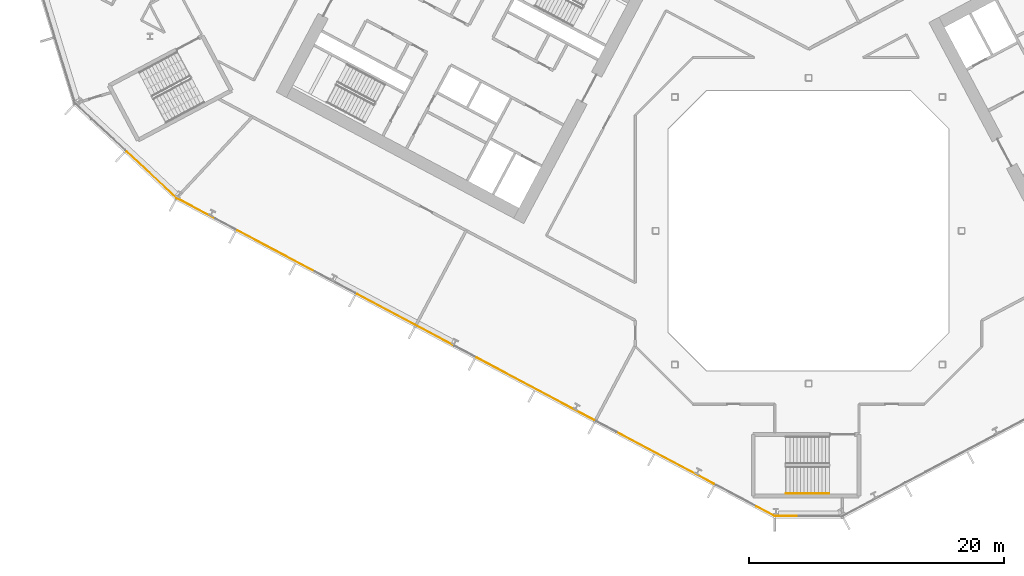
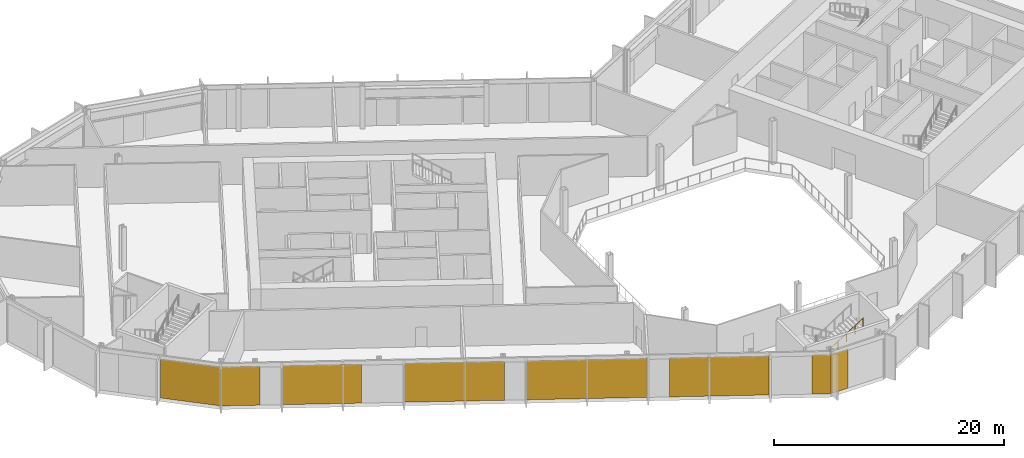
# One storey, part 21 of 31: 8 coverings, 1 railing, 3 elements without a shape of their own.
"""IFC4 building model written with IfcOpenShell, lengths in metres."""

from ifc_helpers import new_model, si_unit, direction, frame, origin, origin_2d, place, context, subcontext, project, spatial, polyline, rectangle, outline, extrude, material, layer, layer_set, type_object, element, aggregate, save


model = new_model("IFC4")

# Units and contexts
model_context = context("Model", 3, precision=1e-05, world=origin(), true_north=direction((0.0, 1.0)))
body_context = subcontext(model_context, "Body", "Model", "MODEL_VIEW")
ifc_project = project(units=[si_unit("LENGTHUNIT", "METRE"), si_unit("AREAUNIT", "SQUARE_METRE"), si_unit("VOLUMEUNIT", "CUBIC_METRE"), si_unit("PLANEANGLEUNIT", "RADIAN"), si_unit("MASSUNIT", "GRAM", prefix="KILO")], contexts=[model_context])

# Site, building, storey
site_placement = place(None, origin())
site = spatial("IfcSite", under=ifc_project, at=site_placement, CompositionType="ELEMENT")
building_placement = place(site_placement, origin())
building = spatial("IfcBuilding", under=site, at=building_placement, Name="Cormorant Relay Tower", CompositionType="ELEMENT")
storey_placement = place(building_placement, frame((0.0, 0.0, 98.39990234375)))
storey = spatial("IfcBuildingStorey", under=building, at=storey_placement, Name="L19", CompositionType="ELEMENT", Elevation=98.39990234375)

# Curtain wall, covering
ifc_material_1 = material(Name="Aluminium 6063-T6 anodised bronze", Category="aluminium")
ifc_layer_1 = layer(ifc_material_1, 0.199951171875)
ifc_layer_set_1 = layer_set([ifc_layer_1], Name="CW1 unitised bronze curtain wall with vertical fins")
curtain_wall_type = type_object("IfcCurtainWallType", Name="CW1 unitised bronze curtain wall with vertical fins", PredefinedType="NOTDEFINED", material=ifc_layer_set_1)
curtain_wall_1_placement = place(storey_placement, origin())
curtain_wall_1 = element("IfcCurtainWall", 1, at=curtain_wall_1_placement, inside=storey, type_object=curtain_wall_type, Name="CW1 curtain wall 1", PredefinedType="NOTDEFINED")
ifc_material_2 = material(Name="Pale bronze anodised aluminium insulated panel", Category="aluminium")
ifc_layer_2 = layer(ifc_material_2, 0.0400390625)
ifc_layer_set_2 = layer_set([ifc_layer_2], Name="CW1 pale bronze insulated panel 40")
covering_type = type_object("IfcCoveringType", Name="CW1 pale bronze insulated panel 40", PredefinedType="CLADDING", material=ifc_layer_set_2)
covering_1_placement = place(storey_placement, frame((-1.762451171875, -22.3955078125, 0.000244140625), z_axis=(0.0, 0.0, 1.0), x_axis=(1.0, 0.0, 0.0)))
covering_1 = element("IfcCovering", 2, at=covering_1_placement, type_object=covering_type, Name="CW1 panel S00", PredefinedType="CLADDING", context=body_context, shape_type="SweptSolid", body=[
    extrude(rectangle(XDim=1.622802734375, YDim=0.0400390625, at=origin_2d()), origin(), (0.0, 0.0, 1.0), 4.14990234375),
])
aggregate(curtain_wall_1, [covering_1])

curtain_wall_2_placement = place(storey_placement, origin())
curtain_wall_2 = element("IfcCurtainWall", 3, at=curtain_wall_2_placement, inside=storey, type_object=curtain_wall_type, Name="CW1 curtain wall 13", PredefinedType="NOTDEFINED")
covering_2_placement = place(storey_placement, frame((-51.565185546875, 4.3974609375, 0.000244140625), z_axis=(0.0, 0.0, 1.0), x_axis=(0.731353701619, -0.681998360062, 0.0)))
covering_2 = element("IfcCovering", 4, at=covering_2_placement, type_object=covering_type, Name="CW1 panel S02", PredefinedType="CLADDING", context=body_context, shape_type="SweptSolid", body=[
    extrude(rectangle(XDim=5.360107421875, YDim=0.0400390625, at=origin_2d()), origin(), (0.0, 0.0, 1.0), 4.14990234375),
])
aggregate(curtain_wall_2, [covering_2])

# Curtain wall, coverings
curtain_wall_3_placement = place(storey_placement, origin())
curtain_wall_3 = element("IfcCurtainWall", 5, at=curtain_wall_3_placement, inside=storey, type_object=curtain_wall_type, Name="CW1 curtain wall 14", PredefinedType="NOTDEFINED")
covering_3_placement = place(storey_placement, frame((-48.048583984375, 1.7412109375, 0.000244140625), z_axis=(0.0, 0.0, 1.0), x_axis=(0.882947592859, -0.469471562786, 0.0)))
covering_3 = element("IfcCovering", 6, at=covering_3_placement, type_object=covering_type, Name="CW1 panel S00", PredefinedType="CLADDING", context=body_context, shape_type="SweptSolid", body=[
    extrude(rectangle(XDim=3.36669921875, YDim=0.0400390625, at=origin_2d()), origin(), (0.0, 0.0, 1.0), 4.14990234375),
])
covering_4_placement = place(storey_placement, frame((-41.8017578125, -1.580322265625, 0.000244140625), z_axis=(0.0, 0.0, 1.0), x_axis=(0.882947592859, -0.469471562786, 0.0)))
covering_4 = element("IfcCovering", 7, at=covering_4_placement, type_object=covering_type, Name="CW1 panel S02", PredefinedType="CLADDING", context=body_context, shape_type="SweptSolid", body=[
    extrude(rectangle(XDim=6.88330078125, YDim=0.0400390625, at=origin_2d()), origin(), (0.0, 0.0, 1.0), 4.14990234375),
])
covering_5_placement = place(storey_placement, frame((-31.618408203125, -6.994873046875, 0.000244140625), z_axis=(0.0, 0.0, 1.0), x_axis=(0.882947592859, -0.469471562786, 0.0)))
covering_5 = element("IfcCovering", 8, at=covering_5_placement, type_object=covering_type, Name="CW1 panel S04", PredefinedType="CLADDING", context=body_context, shape_type="SweptSolid", body=[
    extrude(rectangle(XDim=8.68310546875, YDim=0.0400390625, at=origin_2d()), origin(), (0.0, 0.0, 1.0), 4.14990234375),
])
covering_6_placement = place(storey_placement, frame((-21.435302734375, -12.4091796875, 0.000244140625), z_axis=(0.0, 0.0, 1.0), x_axis=(0.882947592859, -0.469471562786, 0.0)))
covering_6 = element("IfcCovering", 9, at=covering_6_placement, type_object=covering_type, Name="CW1 panel S06", PredefinedType="CLADDING", context=body_context, shape_type="SweptSolid", body=[
    extrude(rectangle(XDim=10.483154296875, YDim=0.0400390625, at=origin_2d()), origin(), (0.0, 0.0, 1.0), 4.14990234375),
])
covering_7_placement = place(storey_placement, frame((-11.252197265625, -17.82373046875, 0.000244140625), z_axis=(0.0, 0.0, 1.0), x_axis=(0.882947592859, -0.469471562786, 0.0)))
covering_7 = element("IfcCovering", 10, at=covering_7_placement, type_object=covering_type, Name="CW1 panel S08", PredefinedType="CLADDING", context=body_context, shape_type="SweptSolid", body=[
    extrude(rectangle(XDim=8.68310546875, YDim=0.0400390625, at=origin_2d()), origin(), (0.0, 0.0, 1.0), 4.14990234375),
])
covering_8_placement = place(storey_placement, frame((-3.383056640625, -22.0078125, 0.000244140625), z_axis=(0.0, 0.0, 1.0), x_axis=(0.882947592859, -0.469471562786, 0.0)))
covering_8 = element("IfcCovering", 11, at=covering_8_placement, type_object=covering_type, Name="CW1 panel S10", PredefinedType="CLADDING", context=body_context, shape_type="SweptSolid", body=[
    extrude(rectangle(XDim=1.6416015625, YDim=0.0400390625, at=origin_2d()), origin(), (0.0, 0.0, 1.0), 4.14990234375),
])
aggregate(curtain_wall_3, [covering_3, covering_4, covering_5, covering_6, covering_7, covering_8])

# Railing
ifc_material_3 = material(Name="Steel ASTM A572 Grade 50 (Fy 345 MPa)", Category="steel")
railing_type = type_object("IfcRailingType", Name="Stair handrail 900", PredefinedType="HANDRAIL", material=ifc_material_3)
railing_placement = place(storey_placement, frame((-1.760009765625, -20.625, 2.47705078125)))
element("IfcRailing", 12, at=railing_placement, inside=storey, type_object=railing_type, Name="L19 RK1 stair handrail 2", PredefinedType="HANDRAIL", context=body_context, shape_type="SweptSolid", body=[
    extrude(outline(polyline([(0.022216796875, 0.00927734375), (0.00927734375, 0.022216796875), (-0.00927734375, 0.022216796875), (-0.022216796875, 0.00927734375), (-0.022216796875, -0.00927734375), (-0.00927734375, -0.022216796875), (0.00927734375, -0.022216796875), (0.022216796875, -0.00927734375), (0.022216796875, 0.00927734375)])), frame((0.0, 0.0, 0.8759765625), z_axis=(0.845389635667, 0.0, 0.534150132366), x_axis=(0.0, 1.0, 0.0)), (0.0, 0.0, 1.0), 3.974609375),
    extrude(outline(polyline([(0.019287109375, 0.008056640625), (0.008056640625, 0.019287109375), (-0.008056640625, 0.019287109375), (-0.019287109375, 0.008056640625), (-0.019287109375, -0.008056640625), (-0.008056640625, -0.019287109375), (0.008056640625, -0.019287109375), (0.019287109375, -0.008056640625), (0.019287109375, 0.008056640625)])), origin(), (0.0, 0.0, 1.0), 0.851806640625),
    extrude(outline(polyline([(0.019287109375, 0.008056640625), (0.008056640625, 0.019287109375), (-0.008056640625, 0.019287109375), (-0.019287109375, 0.008056640625), (-0.019287109375, -0.008056640625), (-0.008056640625, -0.019287109375), (0.008056640625, -0.019287109375), (0.019287109375, -0.008056640625), (0.019287109375, 0.008056640625)])), frame((0.840087890625, 0.0, 0.53076171875)), (0.0, 0.0, 1.0), 0.851806640625),
    extrude(outline(polyline([(0.019287109375, 0.008056640625), (0.008056640625, 0.019287109375), (-0.008056640625, 0.019287109375), (-0.019287109375, 0.008056640625), (-0.019287109375, -0.008056640625), (-0.008056640625, -0.019287109375), (0.008056640625, -0.019287109375), (0.019287109375, -0.008056640625), (0.019287109375, 0.008056640625)])), frame((1.68017578125, 0.0, 1.0615234375)), (0.0, 0.0, 1.0), 0.851806640625),
    extrude(outline(polyline([(0.019287109375, 0.008056640625), (0.008056640625, 0.019287109375), (-0.008056640625, 0.019287109375), (-0.019287109375, 0.008056640625), (-0.019287109375, -0.008056640625), (-0.008056640625, -0.019287109375), (0.008056640625, -0.019287109375), (0.019287109375, -0.008056640625), (0.019287109375, 0.008056640625)])), frame((2.52001953125, 0.0, 1.59228515625)), (0.0, 0.0, 1.0), 0.851806640625),
    extrude(outline(polyline([(0.019287109375, 0.008056640625), (0.008056640625, 0.019287109375), (-0.008056640625, 0.019287109375), (-0.019287109375, 0.008056640625), (-0.019287109375, -0.008056640625), (-0.008056640625, -0.019287109375), (0.008056640625, -0.019287109375), (0.019287109375, -0.008056640625), (0.019287109375, 0.008056640625)])), frame((3.360107421875, 0.0, 2.123046875)), (0.0, 0.0, 1.0), 0.851806640625),
])

save(model, "model.ifc")
